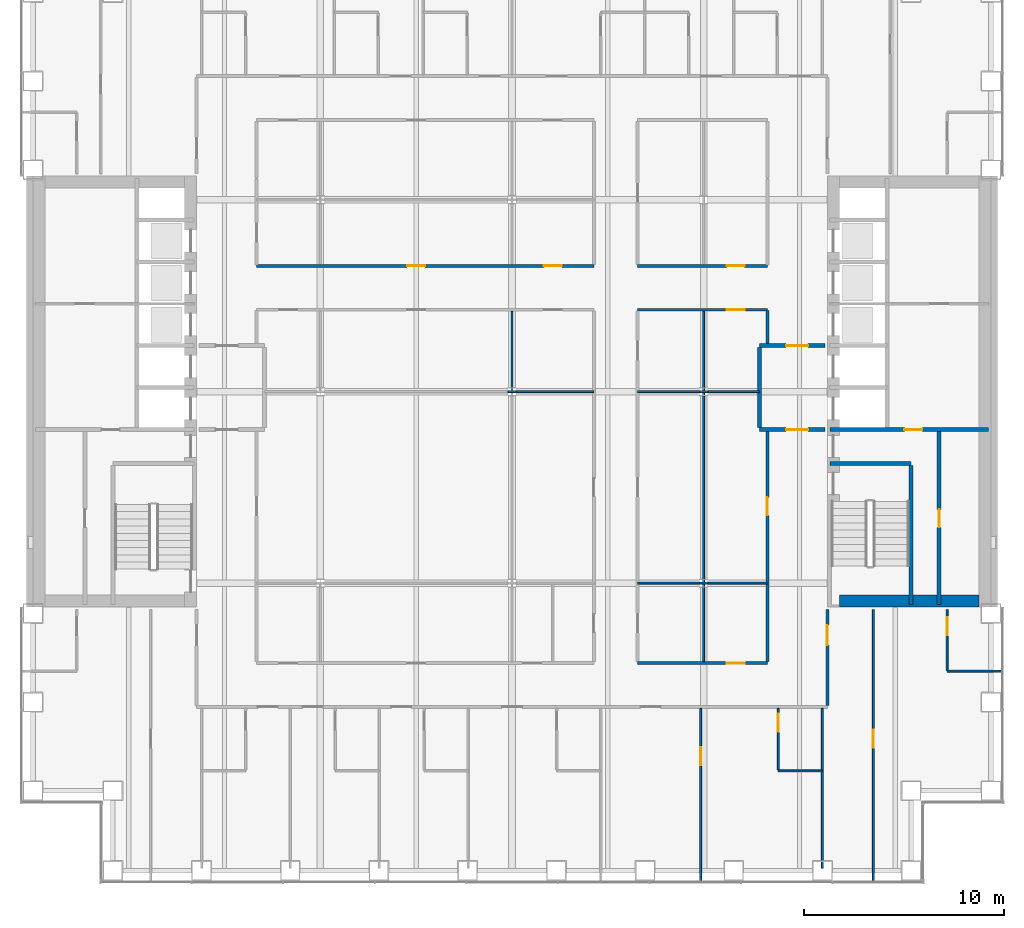
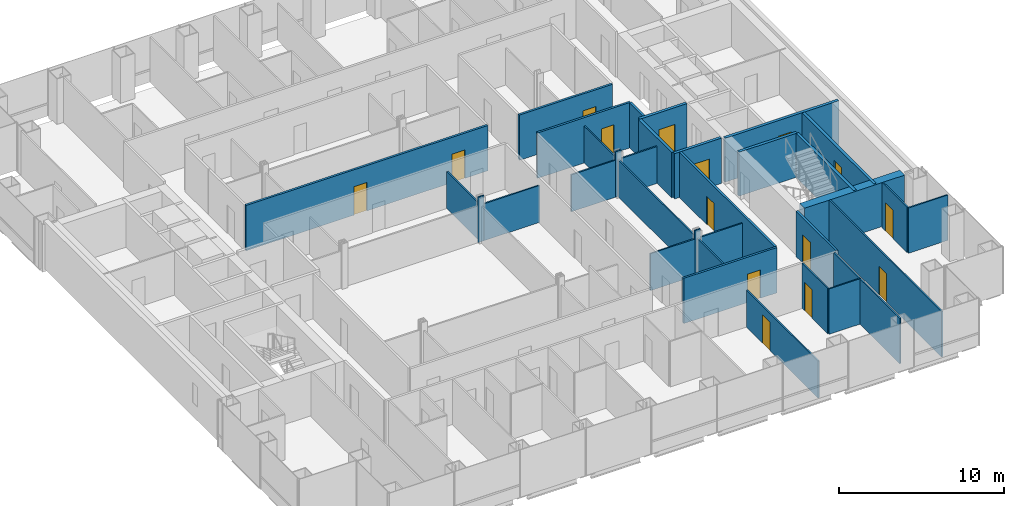
# One storey, part 18 of 23: 34 walls, 15 doors, 15 openings.
"""IFC4 building model written with IfcOpenShell, lengths in metres."""

import ifcopenshell
import ifcopenshell.guid

model = None  # the IFC model being written
_history = None  # IfcOwnerHistory: only IFC2X3 demands one
_inside = {}  # id of a spatial element -> (the spatial element, [elements in it])
_under = {}  # id of a project, library or spatial element -> (it, [spatial elements below it])
_declared = {}  # id of a project -> (the project, [libraries it declares])
_typed = {}  # id of a type object -> (the type object, [elements of that type])
_made_of = {}  # id of a material, layer set ... -> (it, [elements and type objects made of it])


def new_model(schema):
    """Start an empty IFC model of exactly this schema.

    Asked for "IFC4X3", IfcOpenShell would pick the latest addendum, in which some entities
    have other attributes; the version numbers below select the first issue.
    IFC2X3 requires an IfcOwnerHistory on every rooted entity: one is made here for all.
    """
    global model, _history
    if schema == "IFC4X3":
        model = ifcopenshell.file(schema_version=(4, 3, 0, 0))
    else:
        model = ifcopenshell.file(schema=schema)
    _inside.clear()
    _under.clear()
    _declared.clear()
    _typed.clear()
    _made_of.clear()
    _history = None
    if model.schema == "IFC2X3":
        org = make("IfcOrganization", Name="unknown")
        user = make(
            "IfcPersonAndOrganization",
            ThePerson=make("IfcPerson", FamilyName="unknown"),
            TheOrganization=org,
        )
        app = make(
            "IfcApplication",
            ApplicationDeveloper=org,
            Version="unknown",
            ApplicationFullName="unknown",
            ApplicationIdentifier="unknown",
        )
        _history = make(
            "IfcOwnerHistory",
            OwningUser=user,
            OwningApplication=app,
            ChangeAction="ADDED",
            CreationDate=0,
        )
    return model


def make(cls, **values):
    """One entity of the class cls with the attributes given. An attribute that is None is left unset."""
    return model.create_entity(
        cls, **{name: value for name, value in values.items() if value is not None}
    )


def rooted(cls, **values):
    """An entity with a GlobalId (a new one), such as an element, a storey or a relation."""
    return make(cls, GlobalId=ifcopenshell.guid.new(), OwnerHistory=_history, **values)


def si_unit(unit_type, name, prefix=None):
    """IfcSIUnit, for example si_unit("LENGTHUNIT", "METRE", prefix="MILLI")."""
    return make("IfcSIUnit", UnitType=unit_type, Prefix=prefix, Name=name)


def assignment(units):
    """IfcUnitAssignment: the units of a project."""
    return None if units is None else make("IfcUnitAssignment", Units=units)


def point(xyz):
    """IfcCartesianPoint."""
    return None if xyz is None else make("IfcCartesianPoint", Coordinates=xyz)


def direction(xyz):
    """IfcDirection."""
    return None if xyz is None else make("IfcDirection", DirectionRatios=xyz)


def frame(location, z_axis=None, x_axis=None):
    """IfcAxis2Placement3D, a coordinate frame: its origin and axes. An axis left out is left unset."""
    return make(
        "IfcAxis2Placement3D",
        Location=point(location),
        Axis=direction(z_axis),
        RefDirection=direction(x_axis),
    )


def frame_2d(location, x_axis=None):
    """IfcAxis2Placement2D, a coordinate frame in the plane: its origin and x axis."""
    return make(
        "IfcAxis2Placement2D", Location=point(location), RefDirection=direction(x_axis)
    )


def origin():
    """The frame at (0, 0, 0) with its axes left unset."""
    return frame((0.0, 0.0, 0.0))


def place(relative_to, where):
    """IfcLocalPlacement: puts the frame where relative to a parent placement (None: the world)."""
    return make(
        "IfcLocalPlacement", PlacementRelTo=relative_to, RelativePlacement=where
    )


def context(
    kind, dimensions, precision=None, world=None, true_north=None, identifier=None
):
    """IfcGeometricRepresentationContext, for example the 3D "Model" context."""
    return make(
        "IfcGeometricRepresentationContext",
        ContextIdentifier=identifier,
        ContextType=kind,
        CoordinateSpaceDimension=dimensions,
        Precision=precision,
        WorldCoordinateSystem=world,
        TrueNorth=true_north,
    )


def subcontext(parent, identifier, kind, view, scale=None):
    """IfcGeometricRepresentationSubContext, for example "Body" below "Model"."""
    return make(
        "IfcGeometricRepresentationSubContext",
        ContextIdentifier=identifier,
        ContextType=kind,
        ParentContext=parent,
        TargetScale=scale,
        TargetView=view,
    )


def project(units=None, contexts=None):
    """IfcProject with its units and contexts."""
    return rooted(
        "IfcProject",
        Name="project",
        RepresentationContexts=contexts,
        UnitsInContext=assignment(units),
    )


def spatial(cls, under=None, at=None, **own):
    """A site, building, storey or space (cls), placed at a placement, below another one or the project."""
    s = rooted(cls, ObjectPlacement=at, **own)
    if under is not None:
        _under.setdefault(under.id(), (under, []))[1].append(s)
    return s


def profile(cls, at=None, kind="AREA", **sizes):
    """A parametric profile (cls). Its sizes go by their IFC names, for example OverallWidth=200.0."""
    return make(cls, ProfileType=kind, Position=at, **sizes)


def rectangle(**sizes):
    """IfcRectangleProfileDef."""
    return profile("IfcRectangleProfileDef", **sizes)


def extrude(swept, where, along, depth):
    """IfcExtrudedAreaSolid: the profile swept, set in the frame where, extruded along a direction by depth."""
    return make(
        "IfcExtrudedAreaSolid",
        SweptArea=swept,
        Position=where,
        ExtrudedDirection=direction(along),
        Depth=depth,
    )


def shape(context_of_items, identifier, shape_type, items):
    """IfcShapeRepresentation: the items that make up one representation, for example the "Body"."""
    return make(
        "IfcShapeRepresentation",
        ContextOfItems=context_of_items,
        RepresentationIdentifier=identifier,
        RepresentationType=shape_type,
        Items=items,
    )


def material(Name=None, Category=None):
    """IfcMaterial."""
    return make("IfcMaterial", Name=Name, Category=Category)


def layer(
    of_material, thickness, ventilated=None, Name=None, Category=None, Priority=None
):
    """IfcMaterialLayer: one layer of a wall or slab, of a material (None: an air gap)."""
    return make(
        "IfcMaterialLayer",
        Material=of_material,
        LayerThickness=thickness,
        IsVentilated=ventilated,
        Name=Name,
        Category=Category,
        Priority=Priority,
    )


def layer_set(layers, Name=None):
    """IfcMaterialLayerSet."""
    return make("IfcMaterialLayerSet", MaterialLayers=layers, LayerSetName=Name)


def made_of(thing, what):
    """Note that an element or type object is made of a material, layer set ...; save() writes the relation."""
    if what is not None:
        _made_of.setdefault(what.id(), (what, []))[1].append(thing)
    return thing


def type_object(cls, material=None, **own):
    """A type object (cls), such as IfcWallType, which elements share."""
    return made_of(rooted(cls, **own), material)


def element(
    cls,
    number,
    at=None,
    inside=None,
    cuts=None,
    type_object=None,
    material=None,
    context=None,
    identifier="Body",
    shape_type=None,
    held_by="IfcProductDefinitionShape",
    body=None,
    shapes=None,
    **own,
):
    """One element of the class cls, such as IfcWall. Its Tag is "e" and its number.

    at: its placement. inside: the storey or other place that contains it. cuts: it is an
    opening in that element (IfcRelVoidsElement). A single representation is given by context,
    identifier, shape_type and body (its items); several are given by shapes. held_by: the class
    of the entity that holds the representations. save() writes the other relations.
    """
    e = rooted(cls, Tag="e%d" % number, ObjectPlacement=at, **own)
    if body is not None:
        shapes = [shape(context, identifier, shape_type, body)]
    if shapes is not None:
        e.Representation = make(held_by, Representations=shapes)
    if inside is not None:
        _inside.setdefault(inside.id(), (inside, []))[1].append(e)
    if cuts is not None:
        rooted(
            "IfcRelVoidsElement", RelatingBuildingElement=cuts, RelatedOpeningElement=e
        )
    if type_object is not None:
        _typed.setdefault(type_object.id(), (type_object, []))[1].append(e)
    return made_of(e, material)


def fill(opening, filler):
    """IfcRelFillsElement: the door or window that sits in an opening."""
    return rooted(
        "IfcRelFillsElement",
        RelatingOpeningElement=opening,
        RelatedBuildingElement=filler,
    )


def aggregate(whole, parts):
    """IfcRelAggregates: a whole, such as a stair, and the parts it consists of."""
    return rooted("IfcRelAggregates", RelatingObject=whole, RelatedObjects=parts)


def save(model, path):
    """Write the relations noted so far, then the file.

    IfcRelAggregates (storeys below a building ...), IfcRelContainedInSpatialStructure (elements
    in a storey), IfcRelDefinesByType, IfcRelAssociatesMaterial and IfcRelDeclares: one each for
    every whole, place, type object, material and project.
    """
    for whole, parts in _under.values():
        aggregate(whole, parts)
    for where, things in _inside.values():
        rooted(
            "IfcRelContainedInSpatialStructure",
            RelatedElements=things,
            RelatingStructure=where,
        )
    for kind, things in _typed.values():
        rooted("IfcRelDefinesByType", RelatedObjects=things, RelatingType=kind)
    for what, things in _made_of.values():
        rooted("IfcRelAssociatesMaterial", RelatedObjects=things, RelatingMaterial=what)
    for by, libraries in _declared.values():
        rooted("IfcRelDeclares", RelatingContext=by, RelatedDefinitions=libraries)
    model.write(path)


model = new_model("IFC4")

# Units and contexts
model_context = context("Model", 3, precision=1e-05, world=origin(), true_north=direction((0.0, 1.0)))
body_context = subcontext(model_context, "Body", "Model", "MODEL_VIEW")
ifc_project = project(units=[si_unit("LENGTHUNIT", "METRE"), si_unit("AREAUNIT", "SQUARE_METRE"), si_unit("VOLUMEUNIT", "CUBIC_METRE"), si_unit("PLANEANGLEUNIT", "RADIAN"), si_unit("MASSUNIT", "GRAM", prefix="KILO")], contexts=[model_context])

# Site, building, storey
site_placement = place(None, origin())
site = spatial("IfcSite", under=ifc_project, at=site_placement, CompositionType="ELEMENT")
building_placement = place(site_placement, origin())
building = spatial("IfcBuilding", under=site, at=building_placement, Name="Cobrizo Arcos Hotel Tower", CompositionType="ELEMENT")
storey_placement = place(building_placement, frame((0.0, 0.0, 49.5)))
storey = spatial("IfcBuildingStorey", under=building, at=storey_placement, Name="L10", CompositionType="ELEMENT", Elevation=49.5)

# Wall, opening, door
ifc_material_1 = material(Name="Gypsum board partition")
ifc_layer_1 = layer(ifc_material_1, 0.14990234375)
ifc_layer_set_1 = layer_set([ifc_layer_1], Name="Corridor wall EI 60 150")
wall_type_1 = type_object("IfcWallType", Name="Corridor wall EI 60 150", PredefinedType="PARTITIONING", material=ifc_layer_set_1)
wall_1_placement = place(storey_placement, frame((6.300048828125, -13.60009765625, 0.0), z_axis=(0.0, 0.0, 1.0), x_axis=(1.0, 0.0, 0.0)))
wall_1 = element("IfcWall", 1, at=wall_1_placement, inside=storey, type_object=wall_type_1, Name="Partition 010", PredefinedType="PARTITIONING", context=body_context, shape_type="SweptSolid", body=[
    extrude(rectangle(XDim=6.5, YDim=0.14990234375, at=frame_2d((3.25, 0.0))), origin(), (0.0, 0.0, 1.0), 3.35009765625),
])
opening_1_placement = place(wall_1_placement, frame((4.449951171875, 0.0, 0.0)))
opening_1 = element("IfcOpeningElement", 2, at=opening_1_placement, cuts=wall_1, Name="Opening RD-15", PredefinedType="OPENING", context=body_context, shape_type="SweptSolid", body=[
    extrude(rectangle(XDim=0.89990234375, YDim=2.10009765625, at=frame_2d((0.449951171875, 1.050048828125))), frame((0.0, 0.0869140625, 0.0), z_axis=(0.0, -1.0, 0.0), x_axis=(1.0, 0.0, 0.0)), (0.0, 0.0, 1.0), 0.173828125),
])
ifc_material_2 = material(Name="Timber door leaf", Category="wood")
door_type_1 = type_object("IfcDoorType", Name="Room door FD30 900x2100", OperationType="SINGLE_SWING_LEFT", PredefinedType="DOOR", material=ifc_material_2)
door_1_placement = place(opening_1_placement, origin())
door_1 = element("IfcDoor", 3, at=door_1_placement, inside=storey, type_object=door_type_1, Name="Door RD-15", OperationType="SINGLE_SWING_RIGHT", OverallHeight=2.10009765625, OverallWidth=0.89990234375, PredefinedType="DOOR", context=body_context, shape_type="SweptSolid", body=[
    extrude(rectangle(XDim=0.89990234375, YDim=2.10009765625, at=frame_2d((0.449951171875, 1.050048828125))), frame((0.0, 0.02490234375, 0.0), z_axis=(0.0, -1.0, 0.0), x_axis=(1.0, 0.0, 0.0)), (0.0, 0.0, 1.0), 0.050048828125),
])
fill(opening_1, door_1)

wall_2_placement = place(storey_placement, frame((6.300048828125, 4.10009765625, 0.0), z_axis=(0.0, 0.0, 1.0), x_axis=(1.0, 0.0, 0.0)))
wall_2 = element("IfcWall", 4, at=wall_2_placement, inside=storey, type_object=wall_type_1, Name="Partition 040", PredefinedType="PARTITIONING", context=body_context, shape_type="SweptSolid", body=[
    extrude(rectangle(XDim=6.5, YDim=0.14990234375, at=frame_2d((3.25, 0.0))), origin(), (0.0, 0.0, 1.0), 3.35009765625),
])
opening_2_placement = place(wall_2_placement, frame((4.449951171875, 0.0, 0.0)))
opening_2 = element("IfcOpeningElement", 5, at=opening_2_placement, cuts=wall_2, Name="Opening RD-14", PredefinedType="OPENING", context=body_context, shape_type="SweptSolid", body=[
    extrude(rectangle(XDim=0.89990234375, YDim=2.10009765625, at=frame_2d((0.449951171875, 1.050048828125))), frame((0.0, 0.0869140625, 0.0), z_axis=(0.0, -1.0, 0.0), x_axis=(1.0, 0.0, 0.0)), (0.0, 0.0, 1.0), 0.173828125),
])
door_2_placement = place(opening_2_placement, origin())
door_2 = element("IfcDoor", 6, at=door_2_placement, inside=storey, type_object=door_type_1, Name="Door RD-14", OperationType="SINGLE_SWING_RIGHT", OverallHeight=2.10009765625, OverallWidth=0.89990234375, PredefinedType="DOOR", context=body_context, shape_type="SweptSolid", body=[
    extrude(rectangle(XDim=0.89990234375, YDim=2.10009765625, at=frame_2d((0.449951171875, 1.050048828125))), frame((0.0, 0.02490234375, 0.0), z_axis=(0.0, -1.0, 0.0), x_axis=(1.0, 0.0, 0.0)), (0.0, 0.0, 1.0), 0.050048828125),
])
fill(opening_2, door_2)

# Wall, openings, doors
wall_3_placement = place(storey_placement, frame((-12.800048828125, 6.300048828125, 0.0), z_axis=(0.0, 0.0, 1.0), x_axis=(1.0, 0.0, 0.0)))
wall_3 = element("IfcWall", 7, at=wall_3_placement, inside=storey, type_object=wall_type_1, Name="Partition 043", PredefinedType="PARTITIONING", context=body_context, shape_type="SweptSolid", body=[
    extrude(rectangle(XDim=16.900146484375, YDim=0.14990234375, at=frame_2d((8.4501953125, 0.0))), origin(), (0.0, 0.0, 1.0), 3.35009765625),
])
opening_3_placement = place(wall_3_placement, frame((14.39990234375, 0.0, 0.0)))
opening_3 = element("IfcOpeningElement", 8, at=opening_3_placement, cuts=wall_3, Name="Opening RD-20", PredefinedType="OPENING", context=body_context, shape_type="SweptSolid", body=[
    extrude(rectangle(XDim=0.89990234375, YDim=2.10009765625, at=frame_2d((0.449951171875, 1.050048828125))), frame((0.0, 0.0869140625, 0.0), z_axis=(0.0, -1.0, 0.0), x_axis=(1.0, 0.0, 0.0)), (0.0, 0.0, 1.0), 0.173828125),
])
opening_4_placement = place(wall_3_placement, frame((7.550048828125, 0.0, 0.0)))
opening_4 = element("IfcOpeningElement", 9, at=opening_4_placement, cuts=wall_3, Name="Opening RD-27", PredefinedType="OPENING", context=body_context, shape_type="SweptSolid", body=[
    extrude(rectangle(XDim=0.89990234375, YDim=2.10009765625, at=frame_2d((0.449951171875, 1.050048828125))), frame((0.0, 0.0869140625, 0.0), z_axis=(0.0, -1.0, 0.0), x_axis=(1.0, 0.0, 0.0)), (0.0, 0.0, 1.0), 0.173828125),
])
door_3_placement = place(opening_3_placement, origin())
door_3 = element("IfcDoor", 10, at=door_3_placement, inside=storey, type_object=door_type_1, Name="Door RD-20", OperationType="SINGLE_SWING_LEFT", OverallHeight=2.10009765625, OverallWidth=0.89990234375, PredefinedType="DOOR", context=body_context, shape_type="SweptSolid", body=[
    extrude(rectangle(XDim=0.89990234375, YDim=2.10009765625, at=frame_2d((0.449951171875, 1.050048828125))), frame((0.0, 0.02490234375, 0.0), z_axis=(0.0, -1.0, 0.0), x_axis=(1.0, 0.0, 0.0)), (0.0, 0.0, 1.0), 0.050048828125),
])
fill(opening_3, door_3)
door_4_placement = place(opening_4_placement, origin())
door_4 = element("IfcDoor", 11, at=door_4_placement, inside=storey, type_object=door_type_1, Name="Door RD-27", OperationType="SINGLE_SWING_LEFT", OverallHeight=2.10009765625, OverallWidth=0.89990234375, PredefinedType="DOOR", context=body_context, shape_type="SweptSolid", body=[
    extrude(rectangle(XDim=0.89990234375, YDim=2.10009765625, at=frame_2d((0.449951171875, 1.050048828125))), frame((0.0, 0.02490234375, 0.0), z_axis=(0.0, -1.0, 0.0), x_axis=(1.0, 0.0, 0.0)), (0.0, 0.0, 1.0), 0.050048828125),
])
fill(opening_4, door_4)

# Wall, opening, door
wall_4_placement = place(storey_placement, frame((6.300048828125, 6.300048828125, 0.0), z_axis=(0.0, 0.0, 1.0), x_axis=(1.0, 0.0, 0.0)))
wall_4 = element("IfcWall", 12, at=wall_4_placement, inside=storey, type_object=wall_type_1, Name="Partition 044", PredefinedType="PARTITIONING", context=body_context, shape_type="SweptSolid", body=[
    extrude(rectangle(XDim=6.5, YDim=0.14990234375, at=frame_2d((3.25, 0.0))), origin(), (0.0, 0.0, 1.0), 3.35009765625),
])
opening_5_placement = place(wall_4_placement, frame((4.449951171875, 0.0, 0.0)))
opening_5 = element("IfcOpeningElement", 13, at=opening_5_placement, cuts=wall_4, Name="Opening RD-23", PredefinedType="OPENING", context=body_context, shape_type="SweptSolid", body=[
    extrude(rectangle(XDim=0.89990234375, YDim=2.10009765625, at=frame_2d((0.449951171875, 1.050048828125))), frame((0.0, 0.0869140625, 0.0), z_axis=(0.0, -1.0, 0.0), x_axis=(1.0, 0.0, 0.0)), (0.0, 0.0, 1.0), 0.173828125),
])
door_5_placement = place(opening_5_placement, origin())
door_5 = element("IfcDoor", 14, at=door_5_placement, inside=storey, type_object=door_type_1, Name="Door RD-23", OperationType="SINGLE_SWING_LEFT", OverallHeight=2.10009765625, OverallWidth=0.89990234375, PredefinedType="DOOR", context=body_context, shape_type="SweptSolid", body=[
    extrude(rectangle(XDim=0.89990234375, YDim=2.10009765625, at=frame_2d((0.449951171875, 1.050048828125))), frame((0.0, 0.02490234375, 0.0), z_axis=(0.0, -1.0, 0.0), x_axis=(1.0, 0.0, 0.0)), (0.0, 0.0, 1.0), 0.050048828125),
])
fill(opening_5, door_5)

wall_5_placement = place(storey_placement, frame((12.800048828125, -13.52490234375, 0.0), z_axis=(0.0, 0.0, 1.0), x_axis=(0.0, 1.0, 0.0)))
wall_5 = element("IfcWall", 15, at=wall_5_placement, inside=storey, type_object=wall_type_1, Name="Partition 122", PredefinedType="PARTITIONING", context=body_context, shape_type="SweptSolid", body=[
    extrude(rectangle(XDim=11.52490234375, YDim=0.14990234375, at=frame_2d((5.762451171875, 0.0))), origin(), (0.0, 0.0, 1.0), 3.35009765625),
])
opening_6_placement = place(wall_5_placement, frame((7.324951171875, 0.0, 0.0)))
opening_6 = element("IfcOpeningElement", 16, at=opening_6_placement, cuts=wall_5, Name="Opening RD-25", PredefinedType="OPENING", context=body_context, shape_type="SweptSolid", body=[
    extrude(rectangle(XDim=0.89990234375, YDim=2.10009765625, at=frame_2d((0.449951171875, 1.050048828125))), frame((0.0, 0.0869140625, 0.0), z_axis=(0.0, -1.0, 0.0), x_axis=(1.0, 0.0, 0.0)), (0.0, 0.0, 1.0), 0.173828125),
])
door_6_placement = place(opening_6_placement, origin())
door_6 = element("IfcDoor", 17, at=door_6_placement, inside=storey, type_object=door_type_1, Name="Door RD-25", OperationType="SINGLE_SWING_LEFT", OverallHeight=2.10009765625, OverallWidth=0.89990234375, PredefinedType="DOOR", context=body_context, shape_type="SweptSolid", body=[
    extrude(rectangle(XDim=0.89990234375, YDim=2.10009765625, at=frame_2d((0.449951171875, 1.050048828125))), frame((0.0, 0.02490234375, 0.0), z_axis=(0.0, -1.0, 0.0), x_axis=(1.0, 0.0, 0.0)), (0.0, 0.0, 1.0), 0.050048828125),
])
fill(opening_6, door_6)

# Wall
wall_6_placement = place(storey_placement, frame((12.800048828125, 2.39990234375, 0.0), z_axis=(0.0, 0.0, 1.0), x_axis=(0.0, 1.0, 0.0)))
element("IfcWall", 18, at=wall_6_placement, inside=storey, type_object=wall_type_1, Name="Partition 123", PredefinedType="PARTITIONING", context=body_context, shape_type="SweptSolid", body=[
    extrude(rectangle(XDim=1.650146484375, YDim=0.14990234375, at=frame_2d((0.8251953125, 0.0))), origin(), (0.0, 0.0, 1.0), 3.35009765625),
])

# Wall, opening, door
wall_7_placement = place(storey_placement, frame((15.800048828125, -15.72509765625, 0.0), z_axis=(0.0, 0.0, 1.0), x_axis=(0.0, 1.0, 0.0)))
wall_7 = element("IfcWall", 19, at=wall_7_placement, inside=storey, type_object=wall_type_1, Name="Partition 130", PredefinedType="PARTITIONING", context=body_context, shape_type="SweptSolid", body=[
    extrude(rectangle(XDim=4.80517578125, YDim=0.14990234375, at=frame_2d((2.402587890625, 0.0))), origin(), (0.0, 0.0, 1.0), 3.35009765625),
])
opening_7_placement = place(wall_7_placement, frame((3.02490234375, 0.0, 0.0)))
opening_7 = element("IfcOpeningElement", 20, at=opening_7_placement, cuts=wall_7, Name="Opening GD-14", PredefinedType="OPENING", context=body_context, shape_type="SweptSolid", body=[
    extrude(rectangle(XDim=1.0, YDim=2.10009765625, at=frame_2d((0.5, 1.050048828125))), frame((0.0, 0.0869140625, 0.0), z_axis=(0.0, -1.0, 0.0), x_axis=(1.0, 0.0, 0.0)), (0.0, 0.0, 1.0), 0.173828125),
])
door_type_2 = type_object("IfcDoorType", Name="Guest room door FD30S 1000x2100", OperationType="SINGLE_SWING_LEFT", PredefinedType="DOOR", material=ifc_material_2)
door_7_placement = place(opening_7_placement, origin())
door_7 = element("IfcDoor", 21, at=door_7_placement, inside=storey, type_object=door_type_2, Name="Door GD-14", OperationType="SINGLE_SWING_LEFT", OverallHeight=2.10009765625, OverallWidth=1.0, PredefinedType="DOOR", context=body_context, shape_type="SweptSolid", body=[
    extrude(rectangle(XDim=1.0, YDim=2.10009765625, at=frame_2d((0.5, 1.050048828125))), frame((0.0, 0.02490234375, 0.0), z_axis=(0.0, -1.0, 0.0), x_axis=(1.0, 0.0, 0.0)), (0.0, 0.0, 1.0), 0.050048828125),
])
fill(opening_7, door_7)

# Walls
ifc_layer_2 = layer(ifc_material_1, 0.10009765625)
ifc_layer_set_2 = layer_set([ifc_layer_2], Name="Partition EI 30 100")
wall_type_2 = type_object("IfcWallType", Name="Partition EI 30 100", PredefinedType="PARTITIONING", material=ifc_layer_set_2)
wall_8_placement = place(storey_placement, frame((13.35009765625, -19.0, 0.0), z_axis=(0.0, 0.0, 1.0), x_axis=(1.0, 0.0, 0.0)))
element("IfcWall", 22, at=wall_8_placement, inside=storey, type_object=wall_type_2, Name="Partition 005", PredefinedType="PARTITIONING", context=body_context, shape_type="SweptSolid", body=[
    extrude(rectangle(XDim=2.199951171875, YDim=0.10009765625, at=frame_2d((1.10009765625, 0.0))), origin(), (0.0, 0.0, 1.0), 3.35009765625),
])
wall_9_placement = place(storey_placement, frame((21.800048828125, -14.0, 0.0), z_axis=(0.0, 0.0, 1.0), x_axis=(1.0, 0.0, 0.0)))
element("IfcWall", 23, at=wall_9_placement, inside=storey, type_object=wall_type_2, Name="Partition 008", PredefinedType="PARTITIONING", context=body_context, shape_type="SweptSolid", body=[
    extrude(rectangle(XDim=2.72998046875, YDim=0.10009765625, at=frame_2d((1.364990234375, 0.0))), origin(), (0.0, 0.0, 1.0), 3.35009765625),
])
wall_10_placement = place(storey_placement, frame((6.300048828125, -9.60009765625, 0.0), z_axis=(0.0, 0.0, 1.0), x_axis=(1.0, 0.0, 0.0)))
element("IfcWall", 24, at=wall_10_placement, inside=storey, type_object=wall_type_2, Name="Partition 016", PredefinedType="PARTITIONING", context=body_context, shape_type="SweptSolid", body=[
    extrude(rectangle(XDim=3.095947265625, YDim=0.10009765625, at=frame_2d((1.5478515625, 0.0))), origin(), (0.0, 0.0, 1.0), 2.72802734375),
])
wall_11_placement = place(storey_placement, frame((9.39599609375, -9.60009765625, 0.0), z_axis=(0.0, 0.0, 1.0), x_axis=(1.0, 0.0, 0.0)))
element("IfcWall", 25, at=wall_11_placement, inside=storey, type_object=wall_type_2, Name="Partition 017", PredefinedType="PARTITIONING", context=body_context, shape_type="SweptSolid", body=[
    extrude(rectangle(XDim=0.407958984375, YDim=0.10009765625, at=frame_2d((0.2041015625, 0.0))), origin(), (0.0, 0.0, 1.0), 3.35009765625),
])
wall_12_placement = place(storey_placement, frame((9.803955078125, -9.60009765625, 0.0), z_axis=(0.0, 0.0, 1.0), x_axis=(1.0, 0.0, 0.0)))
element("IfcWall", 26, at=wall_12_placement, inside=storey, type_object=wall_type_2, Name="Partition 018", PredefinedType="PARTITIONING", context=body_context, shape_type="SweptSolid", body=[
    extrude(rectangle(XDim=2.99609375, YDim=0.10009765625, at=frame_2d((1.498046875, 0.0))), origin(), (0.0, 0.0, 1.0), 2.72802734375),
])
wall_13_placement = place(storey_placement, frame((-0.2041015625, 0.0, 0.0), z_axis=(0.0, 0.0, 1.0), x_axis=(1.0, 0.0, 0.0)))
element("IfcWall", 27, at=wall_13_placement, inside=storey, type_object=wall_type_2, Name="Partition 028", PredefinedType="PARTITIONING", context=body_context, shape_type="SweptSolid", body=[
    extrude(rectangle(XDim=0.408203125, YDim=0.10009765625, at=frame_2d((0.2041015625, 0.0))), origin(), (0.0, 0.0, 1.0), 3.35009765625),
])
wall_14_placement = place(storey_placement, frame((0.2041015625, 0.0, 0.0), z_axis=(0.0, 0.0, 1.0), x_axis=(1.0, 0.0, 0.0)))
element("IfcWall", 28, at=wall_14_placement, inside=storey, type_object=wall_type_2, Name="Partition 029", PredefinedType="PARTITIONING", context=body_context, shape_type="SweptSolid", body=[
    extrude(rectangle(XDim=3.89599609375, YDim=0.10009765625, at=frame_2d((1.947998046875, 0.0))), origin(), (0.0, 0.0, 1.0), 2.72802734375),
])
wall_15_placement = place(storey_placement, frame((6.300048828125, 0.0, 0.0), z_axis=(0.0, 0.0, 1.0), x_axis=(1.0, 0.0, 0.0)))
element("IfcWall", 29, at=wall_15_placement, inside=storey, type_object=wall_type_2, Name="Partition 030", PredefinedType="PARTITIONING", context=body_context, shape_type="SweptSolid", body=[
    extrude(rectangle(XDim=3.095947265625, YDim=0.10009765625, at=frame_2d((1.5478515625, 0.0))), origin(), (0.0, 0.0, 1.0), 2.72802734375),
])
wall_16_placement = place(storey_placement, frame((9.39599609375, 0.0, 0.0), z_axis=(0.0, 0.0, 1.0), x_axis=(1.0, 0.0, 0.0)))
element("IfcWall", 30, at=wall_16_placement, inside=storey, type_object=wall_type_2, Name="Partition 031", PredefinedType="PARTITIONING", context=body_context, shape_type="SweptSolid", body=[
    extrude(rectangle(XDim=0.407958984375, YDim=0.10009765625, at=frame_2d((0.2041015625, 0.0))), origin(), (0.0, 0.0, 1.0), 3.35009765625),
])
wall_17_placement = place(storey_placement, frame((9.803955078125, 0.0, 0.0), z_axis=(0.0, 0.0, 1.0), x_axis=(1.0, 0.0, 0.0)))
element("IfcWall", 31, at=wall_17_placement, inside=storey, type_object=wall_type_2, Name="Partition 032", PredefinedType="PARTITIONING", context=body_context, shape_type="SweptSolid", body=[
    extrude(rectangle(XDim=2.595947265625, YDim=0.10009765625, at=frame_2d((1.2978515625, 0.0))), origin(), (0.0, 0.0, 1.0), 2.72802734375),
])
wall_18_placement = place(storey_placement, frame((0.0, 0.050048828125, 0.0), z_axis=(0.0, 0.0, 1.0), x_axis=(0.0, 1.0, 0.0)))
element("IfcWall", 32, at=wall_18_placement, inside=storey, type_object=wall_type_2, Name="Partition 098", PredefinedType="PARTITIONING", context=body_context, shape_type="SweptSolid", body=[
    extrude(rectangle(XDim=3.974853515625, YDim=0.10009765625, at=frame_2d((1.9873046875, 0.0))), origin(), (0.0, 0.0, 1.0), 2.72802734375),
])

# Wall, opening, door
wall_19_placement = place(storey_placement, frame((9.449951171875, -24.530029296875, 0.0), z_axis=(0.0, 0.0, 1.0), x_axis=(0.0, 1.0, 0.0)))
wall_19 = element("IfcWall", 33, at=wall_19_placement, inside=storey, type_object=wall_type_2, Name="Partition 113", PredefinedType="PARTITIONING", context=body_context, shape_type="SweptSolid", body=[
    extrude(rectangle(XDim=8.655029296875, YDim=0.10009765625, at=frame_2d((4.32763671875, 0.0))), origin(), (0.0, 0.0, 1.0), 2.72802734375),
])
opening_8_placement = place(wall_19_placement, frame((5.820068359375, 0.0, 0.0)))
opening_8 = element("IfcOpeningElement", 34, at=opening_8_placement, cuts=wall_19, Name="Opening RD-07", PredefinedType="OPENING", context=body_context, shape_type="SweptSolid", body=[
    extrude(rectangle(XDim=0.89990234375, YDim=2.10009765625, at=frame_2d((0.449951171875, 1.050048828125))), frame((0.0, 0.06201171875, 0.0), z_axis=(0.0, -1.0, 0.0), x_axis=(1.0, 0.0, 0.0)), (0.0, 0.0, 1.0), 0.1240234375),
])
door_8_placement = place(opening_8_placement, origin())
door_8 = element("IfcDoor", 35, at=door_8_placement, inside=storey, type_object=door_type_1, Name="Door RD-07", OperationType="SINGLE_SWING_LEFT", OverallHeight=2.10009765625, OverallWidth=0.89990234375, PredefinedType="DOOR", context=body_context, shape_type="SweptSolid", body=[
    extrude(rectangle(XDim=0.89990234375, YDim=2.10009765625, at=frame_2d((0.449951171875, 1.050048828125))), frame((0.0, 0.02490234375, 0.0), z_axis=(0.0, -1.0, 0.0), x_axis=(1.0, 0.0, 0.0)), (0.0, 0.0, 1.0), 0.050048828125),
])
fill(opening_8, door_8)

# Walls
wall_20_placement = place(storey_placement, frame((9.60009765625, -13.52490234375, 0.0), z_axis=(0.0, 0.0, 1.0), x_axis=(0.0, 1.0, 0.0)))
element("IfcWall", 36, at=wall_20_placement, inside=storey, type_object=wall_type_2, Name="Partition 114", PredefinedType="PARTITIONING", context=body_context, shape_type="SweptSolid", body=[
    extrude(rectangle(XDim=3.875, YDim=0.10009765625, at=frame_2d((1.9375, 0.0))), origin(), (0.0, 0.0, 1.0), 2.72802734375),
])
wall_21_placement = place(storey_placement, frame((9.60009765625, -9.550048828125, 0.0), z_axis=(0.0, 0.0, 1.0), x_axis=(0.0, 1.0, 0.0)))
element("IfcWall", 37, at=wall_21_placement, inside=storey, type_object=wall_type_2, Name="Partition 115", PredefinedType="PARTITIONING", context=body_context, shape_type="SweptSolid", body=[
    extrude(rectangle(XDim=9.5, YDim=0.10009765625, at=frame_2d((4.75, 0.0))), origin(), (0.0, 0.0, 1.0), 2.72802734375),
])
wall_22_placement = place(storey_placement, frame((9.60009765625, 0.050048828125, 0.0), z_axis=(0.0, 0.0, 1.0), x_axis=(0.0, 1.0, 0.0)))
element("IfcWall", 38, at=wall_22_placement, inside=storey, type_object=wall_type_2, Name="Partition 116", PredefinedType="PARTITIONING", context=body_context, shape_type="SweptSolid", body=[
    extrude(rectangle(XDim=3.974853515625, YDim=0.10009765625, at=frame_2d((1.9873046875, 0.0))), origin(), (0.0, 0.0, 1.0), 2.72802734375),
])

# Wall, opening, door
wall_23_placement = place(storey_placement, frame((13.35009765625, -18.949951171875, 0.0), z_axis=(0.0, 0.0, 1.0), x_axis=(0.0, 1.0, 0.0)))
wall_23 = element("IfcWall", 39, at=wall_23_placement, inside=storey, type_object=wall_type_2, Name="Partition 127", PredefinedType="PARTITIONING", context=body_context, shape_type="SweptSolid", body=[
    extrude(rectangle(XDim=3.074951171875, YDim=0.10009765625, at=frame_2d((1.53759765625, 0.0))), origin(), (0.0, 0.0, 1.0), 3.35009765625),
])
opening_9_placement = place(wall_23_placement, frame((1.89990234375, 0.0, 0.0)))
opening_9 = element("IfcOpeningElement", 40, at=opening_9_placement, cuts=wall_23, Name="Opening ED-11", PredefinedType="OPENING", context=body_context, shape_type="SweptSolid", body=[
    extrude(rectangle(XDim=0.89990234375, YDim=2.10009765625, at=frame_2d((0.449951171875, 1.050048828125))), frame((0.0, 0.06201171875, 0.0), z_axis=(0.0, -1.0, 0.0), x_axis=(1.0, 0.0, 0.0)), (0.0, 0.0, 1.0), 0.1240234375),
])
door_type_3 = type_object("IfcDoorType", Name="En-suite door 900x2100", OperationType="SINGLE_SWING_LEFT", PredefinedType="DOOR", material=ifc_material_2)
door_9_placement = place(opening_9_placement, origin())
door_9 = element("IfcDoor", 41, at=door_9_placement, inside=storey, type_object=door_type_3, Name="Door ED-11", OperationType="SINGLE_SWING_LEFT", OverallHeight=2.10009765625, OverallWidth=0.89990234375, PredefinedType="DOOR", context=body_context, shape_type="SweptSolid", body=[
    extrude(rectangle(XDim=0.89990234375, YDim=2.10009765625, at=frame_2d((0.449951171875, 1.050048828125))), frame((0.0, 0.02490234375, 0.0), z_axis=(0.0, -1.0, 0.0), x_axis=(1.0, 0.0, 0.0)), (0.0, 0.0, 1.0), 0.050048828125),
])
fill(opening_9, door_9)

# Wall
wall_24_placement = place(storey_placement, frame((15.550048828125, -23.8798828125, 0.0), z_axis=(0.0, 0.0, 1.0), x_axis=(0.0, 1.0, 0.0)))
element("IfcWall", 42, at=wall_24_placement, inside=storey, type_object=wall_type_2, Name="Partition 128", PredefinedType="PARTITIONING", context=body_context, shape_type="SweptSolid", body=[
    extrude(rectangle(XDim=8.0048828125, YDim=0.10009765625, at=frame_2d((4.00244140625, 0.0))), origin(), (0.0, 0.0, 1.0), 3.35009765625),
])

# Wall, opening, door
wall_25_placement = place(storey_placement, frame((18.10009765625, -24.530029296875, 0.0), z_axis=(0.0, 0.0, 1.0), x_axis=(0.0, 1.0, 0.0)))
wall_25 = element("IfcWall", 43, at=wall_25_placement, inside=storey, type_object=wall_type_2, Name="Partition 132", PredefinedType="PARTITIONING", context=body_context, shape_type="SweptSolid", body=[
    extrude(rectangle(XDim=13.610107421875, YDim=0.10009765625, at=frame_2d((6.80517578125, 0.0))), origin(), (0.0, 0.0, 1.0), 3.35009765625),
])
opening_10_placement = place(wall_25_placement, frame((6.679931640625, 0.0, 0.0)))
opening_10 = element("IfcOpeningElement", 44, at=opening_10_placement, cuts=wall_25, Name="Opening RD-10", PredefinedType="OPENING", context=body_context, shape_type="SweptSolid", body=[
    extrude(rectangle(XDim=0.89990234375, YDim=2.10009765625, at=frame_2d((0.449951171875, 1.050048828125))), frame((0.0, 0.06201171875, 0.0), z_axis=(0.0, -1.0, 0.0), x_axis=(1.0, 0.0, 0.0)), (0.0, 0.0, 1.0), 0.1240234375),
])
door_10_placement = place(opening_10_placement, origin())
door_10 = element("IfcDoor", 45, at=door_10_placement, inside=storey, type_object=door_type_1, Name="Door RD-10", OperationType="SINGLE_SWING_LEFT", OverallHeight=2.10009765625, OverallWidth=0.89990234375, PredefinedType="DOOR", context=body_context, shape_type="SweptSolid", body=[
    extrude(rectangle(XDim=0.89990234375, YDim=2.10009765625, at=frame_2d((0.449951171875, 1.050048828125))), frame((0.0, 0.02490234375, 0.0), z_axis=(0.0, -1.0, 0.0), x_axis=(1.0, 0.0, 0.0)), (0.0, 0.0, 1.0), 0.050048828125),
])
fill(opening_10, door_10)

wall_26_placement = place(storey_placement, frame((21.800048828125, -13.949951171875, 0.0), z_axis=(0.0, 0.0, 1.0), x_axis=(0.0, 1.0, 0.0)))
wall_26 = element("IfcWall", 46, at=wall_26_placement, inside=storey, type_object=wall_type_2, Name="Partition 138", PredefinedType="PARTITIONING", context=body_context, shape_type="SweptSolid", body=[
    extrude(rectangle(XDim=3.030029296875, YDim=0.10009765625, at=frame_2d((1.51513671875, 0.0))), origin(), (0.0, 0.0, 1.0), 3.35009765625),
])
opening_11_placement = place(wall_26_placement, frame((1.739990234375, 0.0, 0.0)))
opening_11 = element("IfcOpeningElement", 47, at=opening_11_placement, cuts=wall_26, Name="Opening ED-14", PredefinedType="OPENING", context=body_context, shape_type="SweptSolid", body=[
    extrude(rectangle(XDim=0.89990234375, YDim=2.10009765625, at=frame_2d((0.449951171875, 1.050048828125))), frame((0.0, 0.06201171875, 0.0), z_axis=(0.0, -1.0, 0.0), x_axis=(1.0, 0.0, 0.0)), (0.0, 0.0, 1.0), 0.1240234375),
])
door_11_placement = place(opening_11_placement, origin())
door_11 = element("IfcDoor", 48, at=door_11_placement, inside=storey, type_object=door_type_3, Name="Door ED-14", OperationType="SINGLE_SWING_LEFT", OverallHeight=2.10009765625, OverallWidth=0.89990234375, PredefinedType="DOOR", context=body_context, shape_type="SweptSolid", body=[
    extrude(rectangle(XDim=0.89990234375, YDim=2.10009765625, at=frame_2d((0.449951171875, 1.050048828125))), frame((0.0, 0.02490234375, 0.0), z_axis=(0.0, -1.0, 0.0), x_axis=(1.0, 0.0, 0.0)), (0.0, 0.0, 1.0), 0.050048828125),
])
fill(opening_11, door_11)

# Wall
ifc_material_3 = material(Name="Concrete f'c 60 MPa", Category="concrete")
ifc_layer_3 = layer(ifc_material_3, 0.60009765625)
ifc_layer_set_3 = layer_set([ifc_layer_3], Name="RC core wall 600 f'c 60")
wall_type_3 = type_object("IfcWallType", Name="RC core wall 600 f'c 60", PredefinedType="SHEAR", material=ifc_layer_set_3)
wall_27_placement = place(storey_placement, frame((16.39990234375, -10.5, 0.0), z_axis=(0.0, 0.0, 1.0), x_axis=(1.0, 0.0, 0.0)))
element("IfcWall", 49, at=wall_27_placement, inside=storey, type_object=wall_type_3, Name="Core wall CW1, east core, south end, L10", PredefinedType="SHEAR", context=body_context, shape_type="SweptSolid", body=[
    extrude(rectangle(XDim=7.0, YDim=0.60009765625, at=frame_2d((3.5, 0.0))), origin(), (0.0, 0.0, 1.0), 3.25),
])

# Wall, opening, door
ifc_layer_4 = layer(ifc_material_1, 0.199951171875)
ifc_layer_set_4 = layer_set([ifc_layer_4], Name="Shaft wall EI 120 200")
wall_type_4 = type_object("IfcWallType", Name="Shaft wall EI 120 200", PredefinedType="PARTITIONING", material=ifc_layer_set_4)
wall_28_placement = place(storey_placement, frame((12.39990234375, -1.89990234375, 0.0), z_axis=(0.0, 0.0, 1.0), x_axis=(1.0, 0.0, 0.0)))
wall_28 = element("IfcWall", 50, at=wall_28_placement, inside=storey, type_object=wall_type_4, Name="Partition 023", PredefinedType="PARTITIONING", context=body_context, shape_type="SweptSolid", body=[
    extrude(rectangle(XDim=3.280029296875, YDim=0.199951171875, at=frame_2d((1.64013671875, 0.0))), origin(), (0.0, 0.0, 1.0), 3.35009765625),
])
opening_12_placement = place(wall_28_placement, frame((1.340087890625, 0.0, 0.0)))
opening_12 = element("IfcOpeningElement", 51, at=opening_12_placement, cuts=wall_28, Name="Opening FD-06", PredefinedType="OPENING", context=body_context, shape_type="SweptSolid", body=[
    extrude(rectangle(XDim=1.10009765625, YDim=2.10009765625, at=frame_2d((0.550048828125, 1.050048828125))), frame((0.0, 0.112060546875, 0.0), z_axis=(0.0, -1.0, 0.0), x_axis=(1.0, 0.0, 0.0)), (0.0, 0.0, 1.0), 0.223876953125),
])
ifc_material_4 = material(Name="Steel door leaf", Category="steel")
door_type_4 = type_object("IfcDoorType", Name="Fire door FD60 1100x2100", OperationType="SINGLE_SWING_LEFT", PredefinedType="DOOR", material=ifc_material_4)
door_12_placement = place(opening_12_placement, origin())
door_12 = element("IfcDoor", 52, at=door_12_placement, inside=storey, type_object=door_type_4, Name="Door FD-06", OperationType="SINGLE_SWING_LEFT", OverallHeight=2.10009765625, OverallWidth=1.10009765625, PredefinedType="DOOR", context=body_context, shape_type="SweptSolid", body=[
    extrude(rectangle(XDim=1.10009765625, YDim=2.10009765625, at=frame_2d((0.550048828125, 1.050048828125))), frame((0.0, 0.02490234375, 0.0), z_axis=(0.0, -1.0, 0.0), x_axis=(1.0, 0.0, 0.0)), (0.0, 0.0, 1.0), 0.050048828125),
])
fill(opening_12, door_12)

wall_29_placement = place(storey_placement, frame((15.919921875, -1.89990234375, 0.0), z_axis=(0.0, 0.0, 1.0), x_axis=(1.0, 0.0, 0.0)))
wall_29 = element("IfcWall", 53, at=wall_29_placement, inside=storey, type_object=wall_type_4, Name="Partition 024", PredefinedType="PARTITIONING", context=body_context, shape_type="SweptSolid", body=[
    extrude(rectangle(XDim=7.9599609375, YDim=0.199951171875, at=frame_2d((3.97998046875, 0.0))), origin(), (0.0, 0.0, 1.0), 3.25),
])
opening_13_placement = place(wall_29_placement, frame((3.739990234375, 0.0, 0.0)))
opening_13 = element("IfcOpeningElement", 54, at=opening_13_placement, cuts=wall_29, Name="Opening RD-05", PredefinedType="OPENING", context=body_context, shape_type="SweptSolid", body=[
    extrude(rectangle(XDim=0.89990234375, YDim=2.10009765625, at=frame_2d((0.449951171875, 1.050048828125))), frame((0.0, 0.112060546875, 0.0), z_axis=(0.0, -1.0, 0.0), x_axis=(1.0, 0.0, 0.0)), (0.0, 0.0, 1.0), 0.223876953125),
])
door_13_placement = place(opening_13_placement, origin())
door_13 = element("IfcDoor", 55, at=door_13_placement, inside=storey, type_object=door_type_1, Name="Door RD-05", OperationType="SINGLE_SWING_RIGHT", OverallHeight=2.10009765625, OverallWidth=0.89990234375, PredefinedType="DOOR", context=body_context, shape_type="SweptSolid", body=[
    extrude(rectangle(XDim=0.89990234375, YDim=2.10009765625, at=frame_2d((0.449951171875, 1.050048828125))), frame((0.0, 0.02490234375, 0.0), z_axis=(0.0, -1.0, 0.0), x_axis=(1.0, 0.0, 0.0)), (0.0, 0.0, 1.0), 0.050048828125),
])
fill(opening_13, door_13)

wall_30_placement = place(storey_placement, frame((12.39990234375, 2.300048828125, 0.0), z_axis=(0.0, 0.0, 1.0), x_axis=(1.0, 0.0, 0.0)))
wall_30 = element("IfcWall", 56, at=wall_30_placement, inside=storey, type_object=wall_type_4, Name="Partition 037", PredefinedType="PARTITIONING", context=body_context, shape_type="SweptSolid", body=[
    extrude(rectangle(XDim=3.280029296875, YDim=0.199951171875, at=frame_2d((1.64013671875, 0.0))), origin(), (0.0, 0.0, 1.0), 3.35009765625),
])
opening_14_placement = place(wall_30_placement, frame((1.340087890625, 0.0, 0.0)))
opening_14 = element("IfcOpeningElement", 57, at=opening_14_placement, cuts=wall_30, Name="Opening FD-05", PredefinedType="OPENING", context=body_context, shape_type="SweptSolid", body=[
    extrude(rectangle(XDim=1.10009765625, YDim=2.10009765625, at=frame_2d((0.550048828125, 1.050048828125))), frame((0.0, 0.112060546875, 0.0), z_axis=(0.0, -1.0, 0.0), x_axis=(1.0, 0.0, 0.0)), (0.0, 0.0, 1.0), 0.223876953125),
])
door_14_placement = place(opening_14_placement, origin())
door_14 = element("IfcDoor", 58, at=door_14_placement, inside=storey, type_object=door_type_4, Name="Door FD-05", OperationType="SINGLE_SWING_LEFT", OverallHeight=2.10009765625, OverallWidth=1.10009765625, PredefinedType="DOOR", context=body_context, shape_type="SweptSolid", body=[
    extrude(rectangle(XDim=1.10009765625, YDim=2.10009765625, at=frame_2d((0.550048828125, 1.050048828125))), frame((0.0, 0.02490234375, 0.0), z_axis=(0.0, -1.0, 0.0), x_axis=(1.0, 0.0, 0.0)), (0.0, 0.0, 1.0), 0.050048828125),
])
fill(opening_14, door_14)

# Wall
wall_31_placement = place(storey_placement, frame((12.39990234375, -1.800048828125, 0.0), z_axis=(0.0, 0.0, 1.0), x_axis=(0.0, 1.0, 0.0)))
element("IfcWall", 59, at=wall_31_placement, inside=storey, type_object=wall_type_4, Name="Partition 121", PredefinedType="PARTITIONING", context=body_context, shape_type="SweptSolid", body=[
    extrude(rectangle(XDim=4.0, YDim=0.199951171875, at=frame_2d((2.0, 0.0))), origin(), (0.0, 0.0, 1.0), 3.35009765625),
])

# Wall, opening, door
wall_32_placement = place(storey_placement, frame((21.39990234375, -10.679931640625, 0.0), z_axis=(0.0, 0.0, 1.0), x_axis=(0.0, 1.0, 0.0)))
wall_32 = element("IfcWall", 60, at=wall_32_placement, inside=storey, type_object=wall_type_4, Name="Partition 137", PredefinedType="PARTITIONING", context=body_context, shape_type="SweptSolid", body=[
    extrude(rectangle(XDim=8.679931640625, YDim=0.199951171875, at=frame_2d((4.33984375, 0.0))), origin(), (0.0, 0.0, 1.0), 3.25),
])
opening_15_placement = place(wall_32_placement, frame((3.8798828125, 0.0, 0.0)))
opening_15 = element("IfcOpeningElement", 61, at=opening_15_placement, cuts=wall_32, Name="Opening RD-04", PredefinedType="OPENING", context=body_context, shape_type="SweptSolid", body=[
    extrude(rectangle(XDim=0.89990234375, YDim=2.10009765625, at=frame_2d((0.449951171875, 1.050048828125))), frame((0.0, 0.112060546875, 0.0), z_axis=(0.0, -1.0, 0.0), x_axis=(1.0, 0.0, 0.0)), (0.0, 0.0, 1.0), 0.223876953125),
])
door_15_placement = place(opening_15_placement, origin())
door_15 = element("IfcDoor", 62, at=door_15_placement, inside=storey, type_object=door_type_1, Name="Door RD-04", OperationType="SINGLE_SWING_RIGHT", OverallHeight=2.10009765625, OverallWidth=0.89990234375, PredefinedType="DOOR", context=body_context, shape_type="SweptSolid", body=[
    extrude(rectangle(XDim=0.89990234375, YDim=2.10009765625, at=frame_2d((0.449951171875, 1.050048828125))), frame((0.0, 0.02490234375, 0.0), z_axis=(0.0, -1.0, 0.0), x_axis=(1.0, 0.0, 0.0)), (0.0, 0.0, 1.0), 0.050048828125),
])
fill(opening_15, door_15)

# Walls
ifc_material_5 = material(Name="Concrete f'c 40 MPa", Category="concrete")
ifc_layer_5 = layer(ifc_material_5, 0.199951171875)
ifc_layer_set_5 = layer_set([ifc_layer_5], Name="Stair shaft wall 200")
wall_type_5 = type_object("IfcWallType", Name="Stair shaft wall 200", PredefinedType="SHEAR", material=ifc_layer_set_5)
wall_33_placement = place(storey_placement, frame((15.919921875, -3.60009765625, 0.0), z_axis=(0.0, 0.0, 1.0), x_axis=(1.0, 0.0, 0.0)))
element("IfcWall", 63, at=wall_33_placement, inside=storey, type_object=wall_type_5, Name="Stair shaft wall E", PredefinedType="SHEAR", context=body_context, shape_type="SweptSolid", body=[
    extrude(rectangle(XDim=4.080078125, YDim=0.199951171875, at=frame_2d((2.0400390625, 0.0))), origin(), (0.0, 0.0, 1.0), 3.25),
])
wall_34_placement = place(storey_placement, frame((20.0, -10.679931640625, 0.0), z_axis=(0.0, 0.0, 1.0), x_axis=(0.0, 1.0, 0.0)))
element("IfcWall", 64, at=wall_34_placement, inside=storey, type_object=wall_type_5, Name="Stair shaft wall E", PredefinedType="SHEAR", context=body_context, shape_type="SweptSolid", body=[
    extrude(rectangle(XDim=6.97998046875, YDim=0.199951171875, at=frame_2d((3.489990234375, 0.0))), origin(), (0.0, 0.0, 1.0), 3.25),
])

save(model, "model.ifc")
